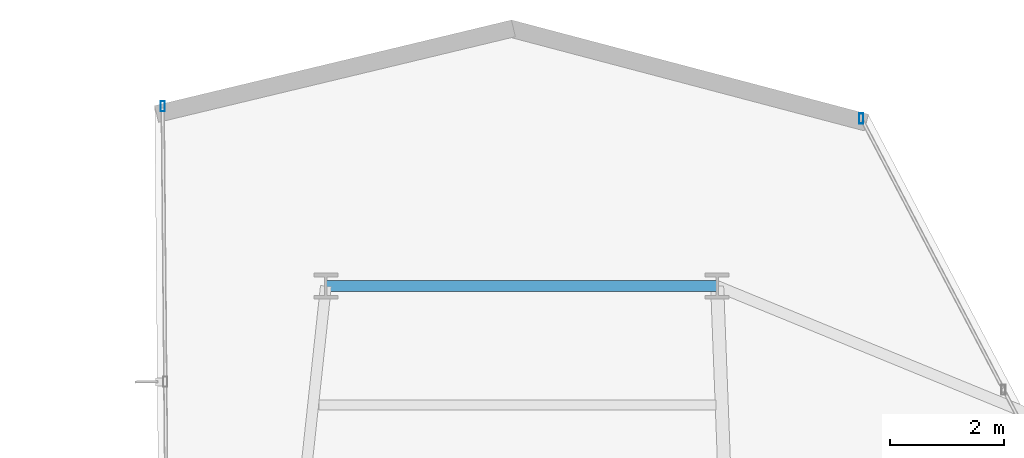
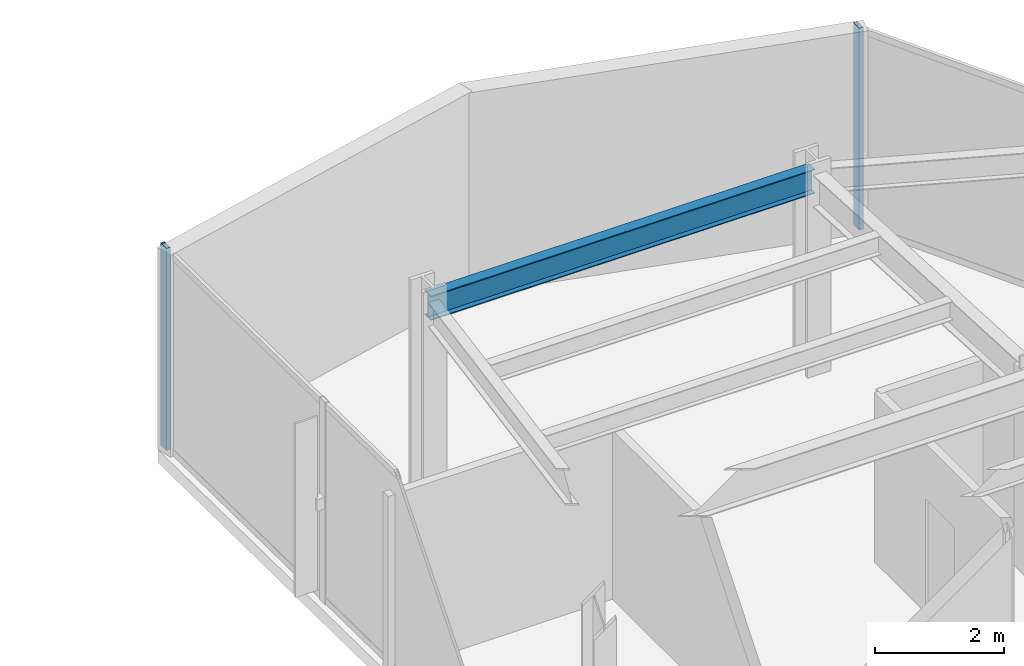
# One storey, part 18 of 25: 2 members, 1 beam, 2 elements without a shape of their own.
"""IFC4 building model written with IfcOpenShell, lengths in metres."""

from ifc_helpers import new_model, si_unit, direction, frame, origin, origin_2d, place, context, subcontext, project, spatial, hollow_rectangle, i_section, extrude, material, layer, layer_set, material_profile, profile_set, type_object, element, aggregate, save


model = new_model("IFC4")

# Units and contexts
model_context = context("Model", 3, precision=1e-05, world=origin(), true_north=direction((0.0, 1.0)))
body_context = subcontext(model_context, "Body", "Model", "MODEL_VIEW")
ifc_project = project(units=[si_unit("LENGTHUNIT", "METRE"), si_unit("AREAUNIT", "SQUARE_METRE"), si_unit("VOLUMEUNIT", "CUBIC_METRE"), si_unit("PLANEANGLEUNIT", "RADIAN"), si_unit("MASSUNIT", "GRAM", prefix="KILO")], contexts=[model_context])

# Site, building, storey
site_placement = place(None, origin())
site = spatial("IfcSite", under=ifc_project, at=site_placement, CompositionType="ELEMENT")
building_placement = place(site_placement, origin())
building = spatial("IfcBuilding", under=site, at=building_placement, Name="Veymaron Broadcast Tower", CompositionType="ELEMENT")
storey_placement = place(building_placement, frame((0.0, 0.0, 145.199951171875)))
storey = spatial("IfcBuildingStorey", under=building, at=storey_placement, Name="L33", CompositionType="ELEMENT", Elevation=145.199951171875)

# Beam
ifc_material_1 = material(Name="Structural steel ASTM A992 Gr 50", Category="steel")
ifc_material_profile_1 = material_profile(ifc_material_1, i_section(OverallWidth=0.19091796875, OverallDepth=0.4599609375, WebThickness=0.010009765625, FlangeThickness=0.01611328125, at=origin_2d()), Name="W460X82")
ifc_profile_set_1 = profile_set([ifc_material_profile_1], Name="Structural steel ASTM A992 Gr 50")
beam_type = type_object("IfcBeamType", Name="BM-SP1", PredefinedType="SPANDREL", material=ifc_profile_set_1)
beam_placement = place(storey_placement, frame((31.89990234375, 38.5, 3.580078125), z_axis=(1.0, 0.0, 0.0), x_axis=(0.0, 1.0, 0.0)))
element("IfcBeam", 1, at=beam_placement, inside=storey, type_object=beam_type, Name="L33 primary structural floor girder", PredefinedType="SPANDREL", context=body_context, shape_type="SweptSolid", body=[
    extrude(i_section(OverallWidth=0.19091796875, OverallDepth=0.4599609375, WebThickness=0.010009765625, FlangeThickness=0.01611328125, at=origin_2d()), origin(), (0.0, 0.0, 1.0), 6.85009765625),
])

# Curtain wall, member
ifc_material_2 = material(Name="Anodised aluminium AA 6063-T6 and laminated low-E dark glass", Category="aluminium")
ifc_layer = layer(ifc_material_2, 0.179931640625)
ifc_layer_set = layer_set([ifc_layer], Name="Anodised aluminium AA 6063-T6 and laminated low-E dark glass")
curtain_wall_type = type_object("IfcCurtainWallType", Name="CW-SYS-03", PredefinedType="NOTDEFINED", material=ifc_layer_set)
curtain_wall_1_placement = place(storey_placement, origin())
curtain_wall_1 = element("IfcCurtainWall", 2, at=curtain_wall_1_placement, inside=storey, type_object=curtain_wall_type, Name="L33 dark-glass curtain wall CW-L33-E5-1", PredefinedType="NOTDEFINED")
ifc_material_3 = material(Name="Anodised aluminium AA 6063-T6", Category="aluminium")
ifc_material_profile_2 = material_profile(ifc_material_3, hollow_rectangle(XDim=0.074951171875, YDim=0.179931640625, WallThickness=0.0048828125, at=origin_2d()), Name="AL180X75X5")
ifc_profile_set_2 = profile_set([ifc_material_profile_2], Name="Anodised aluminium AA 6063-T6")
member_type = type_object("IfcMemberType", Name="CW-MUL-02", PredefinedType="MULLION", material=ifc_profile_set_2)
member_1_placement = place(storey_placement, frame((41.273681640625, 41.43505859375, 0.0), z_axis=(0.0, 0.0, 1.0), x_axis=(1.0, 0.0, 0.0)))
member_1 = element("IfcMember", 3, at=member_1_placement, type_object=member_type, Name="CW-L33-E5-1 mullion 2", PredefinedType="MULLION", context=body_context, shape_type="SweptSolid", body=[
    extrude(hollow_rectangle(XDim=0.074951171875, YDim=0.179931640625, WallThickness=0.0048828125, at=origin_2d()), origin(), (0.0, 0.0, 1.0), 3.81005859375),
])
aggregate(curtain_wall_1, [member_1])

curtain_wall_2_placement = place(storey_placement, origin())
curtain_wall_2 = element("IfcCurtainWall", 4, at=curtain_wall_2_placement, inside=storey, type_object=curtain_wall_type, Name="L33 dark-glass curtain wall CW-L33-E8-1", PredefinedType="NOTDEFINED")
member_2_placement = place(storey_placement, frame((29.042236328125, 41.6513671875, 0.0), z_axis=(0.0, 0.0, 1.0), x_axis=(1.0, 0.0, 0.0)))
member_2 = element("IfcMember", 5, at=member_2_placement, type_object=member_type, Name="CW-L33-E8-1 mullion 0", PredefinedType="MULLION", context=body_context, shape_type="SweptSolid", body=[
    extrude(hollow_rectangle(XDim=0.074951171875, YDim=0.179931640625, WallThickness=0.0048828125, at=origin_2d()), origin(), (0.0, 0.0, 1.0), 3.81005859375),
])
aggregate(curtain_wall_2, [member_2])

save(model, "model.ifc")
